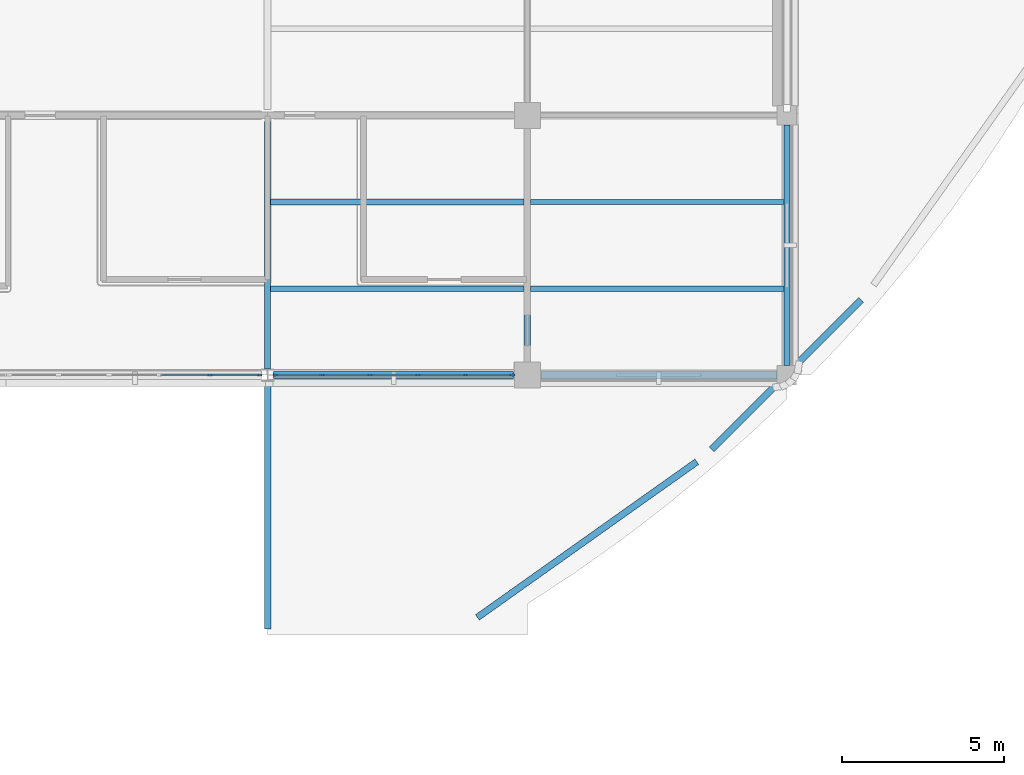
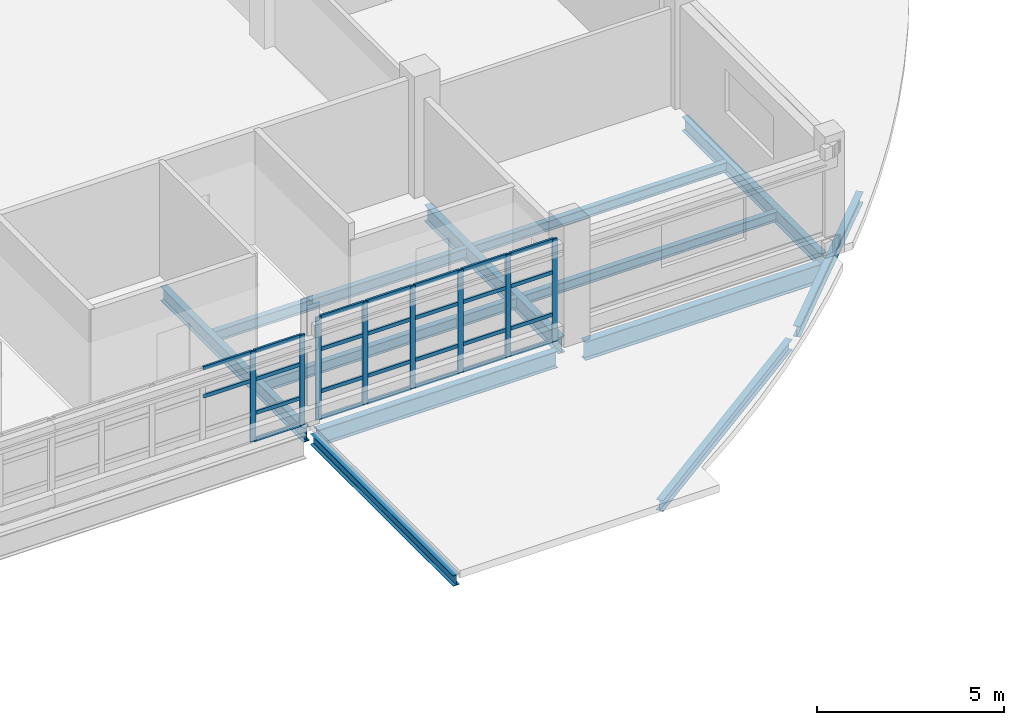
# One storey, part 25 of 126: 34 members, 12 beams, 2 elements without a shape of their own.
"""IFC4 building model written with IfcOpenShell, lengths in metres."""

import ifcopenshell
import ifcopenshell.guid

model = None  # the IFC model being written
_history = None  # IfcOwnerHistory: only IFC2X3 demands one
_inside = {}  # id of a spatial element -> (the spatial element, [elements in it])
_under = {}  # id of a project, library or spatial element -> (it, [spatial elements below it])
_declared = {}  # id of a project -> (the project, [libraries it declares])
_typed = {}  # id of a type object -> (the type object, [elements of that type])
_made_of = {}  # id of a material, layer set ... -> (it, [elements and type objects made of it])


def new_model(schema):
    """Start an empty IFC model of exactly this schema.

    Asked for "IFC4X3", IfcOpenShell would pick the latest addendum, in which some entities
    have other attributes; the version numbers below select the first issue.
    IFC2X3 requires an IfcOwnerHistory on every rooted entity: one is made here for all.
    """
    global model, _history
    if schema == "IFC4X3":
        model = ifcopenshell.file(schema_version=(4, 3, 0, 0))
    else:
        model = ifcopenshell.file(schema=schema)
    _inside.clear()
    _under.clear()
    _declared.clear()
    _typed.clear()
    _made_of.clear()
    _history = None
    if model.schema == "IFC2X3":
        org = make("IfcOrganization", Name="unknown")
        user = make(
            "IfcPersonAndOrganization",
            ThePerson=make("IfcPerson", FamilyName="unknown"),
            TheOrganization=org,
        )
        app = make(
            "IfcApplication",
            ApplicationDeveloper=org,
            Version="unknown",
            ApplicationFullName="unknown",
            ApplicationIdentifier="unknown",
        )
        _history = make(
            "IfcOwnerHistory",
            OwningUser=user,
            OwningApplication=app,
            ChangeAction="ADDED",
            CreationDate=0,
        )
    return model


def make(cls, **values):
    """One entity of the class cls with the attributes given. An attribute that is None is left unset."""
    return model.create_entity(
        cls, **{name: value for name, value in values.items() if value is not None}
    )


def rooted(cls, **values):
    """An entity with a GlobalId (a new one), such as an element, a storey or a relation."""
    return make(cls, GlobalId=ifcopenshell.guid.new(), OwnerHistory=_history, **values)


def si_unit(unit_type, name, prefix=None):
    """IfcSIUnit, for example si_unit("LENGTHUNIT", "METRE", prefix="MILLI")."""
    return make("IfcSIUnit", UnitType=unit_type, Prefix=prefix, Name=name)


def derived_unit(unit_type, elements):
    """IfcDerivedUnit: a product of units, each with its exponent."""
    return make(
        "IfcDerivedUnit",
        Elements=[
            make("IfcDerivedUnitElement", Unit=unit, Exponent=power)
            for unit, power in elements
        ],
        UnitType=unit_type,
    )


def assignment(units):
    """IfcUnitAssignment: the units of a project."""
    return None if units is None else make("IfcUnitAssignment", Units=units)


def point(xyz):
    """IfcCartesianPoint."""
    return None if xyz is None else make("IfcCartesianPoint", Coordinates=xyz)


def direction(xyz):
    """IfcDirection."""
    return None if xyz is None else make("IfcDirection", DirectionRatios=xyz)


def frame(location, z_axis=None, x_axis=None):
    """IfcAxis2Placement3D, a coordinate frame: its origin and axes. An axis left out is left unset."""
    return make(
        "IfcAxis2Placement3D",
        Location=point(location),
        Axis=direction(z_axis),
        RefDirection=direction(x_axis),
    )


def frame_2d(location, x_axis=None):
    """IfcAxis2Placement2D, a coordinate frame in the plane: its origin and x axis."""
    return make(
        "IfcAxis2Placement2D", Location=point(location), RefDirection=direction(x_axis)
    )


def origin():
    """The frame at (0, 0, 0) with its axes left unset."""
    return frame((0.0, 0.0, 0.0))


def origin_2d():
    """The frame at (0, 0) in the plane with its x axis left unset."""
    return frame_2d((0.0, 0.0))


def place(relative_to, where):
    """IfcLocalPlacement: puts the frame where relative to a parent placement (None: the world)."""
    return make(
        "IfcLocalPlacement", PlacementRelTo=relative_to, RelativePlacement=where
    )


def context(
    kind, dimensions, precision=None, world=None, true_north=None, identifier=None
):
    """IfcGeometricRepresentationContext, for example the 3D "Model" context."""
    return make(
        "IfcGeometricRepresentationContext",
        ContextIdentifier=identifier,
        ContextType=kind,
        CoordinateSpaceDimension=dimensions,
        Precision=precision,
        WorldCoordinateSystem=world,
        TrueNorth=true_north,
    )


def subcontext(parent, identifier, kind, view, scale=None):
    """IfcGeometricRepresentationSubContext, for example "Body" below "Model"."""
    return make(
        "IfcGeometricRepresentationSubContext",
        ContextIdentifier=identifier,
        ContextType=kind,
        ParentContext=parent,
        TargetScale=scale,
        TargetView=view,
    )


def project(units=None, contexts=None):
    """IfcProject with its units and contexts."""
    return rooted(
        "IfcProject",
        Name="project",
        RepresentationContexts=contexts,
        UnitsInContext=assignment(units),
    )


def spatial(cls, under=None, at=None, **own):
    """A site, building, storey or space (cls), placed at a placement, below another one or the project."""
    s = rooted(cls, ObjectPlacement=at, **own)
    if under is not None:
        _under.setdefault(under.id(), (under, []))[1].append(s)
    return s


def profile(cls, at=None, kind="AREA", **sizes):
    """A parametric profile (cls). Its sizes go by their IFC names, for example OverallWidth=200.0."""
    return make(cls, ProfileType=kind, Position=at, **sizes)


def rectangle(**sizes):
    """IfcRectangleProfileDef."""
    return profile("IfcRectangleProfileDef", **sizes)


def i_section(**sizes):
    """IfcIShapeProfileDef."""
    return profile("IfcIShapeProfileDef", **sizes)


def extrude(swept, where, along, depth):
    """IfcExtrudedAreaSolid: the profile swept, set in the frame where, extruded along a direction by depth."""
    return make(
        "IfcExtrudedAreaSolid",
        SweptArea=swept,
        Position=where,
        ExtrudedDirection=direction(along),
        Depth=depth,
    )


def shape(context_of_items, identifier, shape_type, items):
    """IfcShapeRepresentation: the items that make up one representation, for example the "Body"."""
    return make(
        "IfcShapeRepresentation",
        ContextOfItems=context_of_items,
        RepresentationIdentifier=identifier,
        RepresentationType=shape_type,
        Items=items,
    )


def material(Name=None, Category=None):
    """IfcMaterial."""
    return make("IfcMaterial", Name=Name, Category=Category)


def layer(
    of_material, thickness, ventilated=None, Name=None, Category=None, Priority=None
):
    """IfcMaterialLayer: one layer of a wall or slab, of a material (None: an air gap)."""
    return make(
        "IfcMaterialLayer",
        Material=of_material,
        LayerThickness=thickness,
        IsVentilated=ventilated,
        Name=Name,
        Category=Category,
        Priority=Priority,
    )


def layer_set(layers, Name=None):
    """IfcMaterialLayerSet."""
    return make("IfcMaterialLayerSet", MaterialLayers=layers, LayerSetName=Name)


def material_profile(
    of_material, cross_section, Name=None, Category=None, Priority=None
):
    """IfcMaterialProfile: a cross section and its material."""
    return make(
        "IfcMaterialProfile",
        Name=Name,
        Material=of_material,
        Profile=cross_section,
        Priority=Priority,
        Category=Category,
    )


def profile_set(profiles, Name=None, composite=None):
    """IfcMaterialProfileSet."""
    return make(
        "IfcMaterialProfileSet",
        Name=Name,
        MaterialProfiles=profiles,
        CompositeProfile=composite,
    )


def made_of(thing, what):
    """Note that an element or type object is made of a material, layer set ...; save() writes the relation."""
    if what is not None:
        _made_of.setdefault(what.id(), (what, []))[1].append(thing)
    return thing


def type_object(cls, material=None, **own):
    """A type object (cls), such as IfcWallType, which elements share."""
    return made_of(rooted(cls, **own), material)


def element(
    cls,
    number,
    at=None,
    inside=None,
    cuts=None,
    type_object=None,
    material=None,
    context=None,
    identifier="Body",
    shape_type=None,
    held_by="IfcProductDefinitionShape",
    body=None,
    shapes=None,
    **own,
):
    """One element of the class cls, such as IfcWall. Its Tag is "e" and its number.

    at: its placement. inside: the storey or other place that contains it. cuts: it is an
    opening in that element (IfcRelVoidsElement). A single representation is given by context,
    identifier, shape_type and body (its items); several are given by shapes. held_by: the class
    of the entity that holds the representations. save() writes the other relations.
    """
    e = rooted(cls, Tag="e%d" % number, ObjectPlacement=at, **own)
    if body is not None:
        shapes = [shape(context, identifier, shape_type, body)]
    if shapes is not None:
        e.Representation = make(held_by, Representations=shapes)
    if inside is not None:
        _inside.setdefault(inside.id(), (inside, []))[1].append(e)
    if cuts is not None:
        rooted(
            "IfcRelVoidsElement", RelatingBuildingElement=cuts, RelatedOpeningElement=e
        )
    if type_object is not None:
        _typed.setdefault(type_object.id(), (type_object, []))[1].append(e)
    return made_of(e, material)


def aggregate(whole, parts):
    """IfcRelAggregates: a whole, such as a stair, and the parts it consists of."""
    return rooted("IfcRelAggregates", RelatingObject=whole, RelatedObjects=parts)


def save(model, path):
    """Write the relations noted so far, then the file.

    IfcRelAggregates (storeys below a building ...), IfcRelContainedInSpatialStructure (elements
    in a storey), IfcRelDefinesByType, IfcRelAssociatesMaterial and IfcRelDeclares: one each for
    every whole, place, type object, material and project.
    """
    for whole, parts in _under.values():
        aggregate(whole, parts)
    for where, things in _inside.values():
        rooted(
            "IfcRelContainedInSpatialStructure",
            RelatedElements=things,
            RelatingStructure=where,
        )
    for kind, things in _typed.values():
        rooted("IfcRelDefinesByType", RelatedObjects=things, RelatingType=kind)
    for what, things in _made_of.values():
        rooted("IfcRelAssociatesMaterial", RelatedObjects=things, RelatingMaterial=what)
    for by, libraries in _declared.values():
        rooted("IfcRelDeclares", RelatingContext=by, RelatedDefinitions=libraries)
    model.write(path)


model = new_model("IFC4")

# Units and contexts
model_context = context("Model", 3, precision=1e-05, world=origin(), true_north=direction((0.0, 1.0)))
body_context = subcontext(model_context, "Body", "Model", "MODEL_VIEW")
ifc_project = project(units=[si_unit("LENGTHUNIT", "METRE"), si_unit("AREAUNIT", "SQUARE_METRE"), si_unit("VOLUMEUNIT", "CUBIC_METRE"), si_unit("PLANEANGLEUNIT", "RADIAN"), si_unit("MASSUNIT", "GRAM", prefix="KILO"), derived_unit("THERMALTRANSMITTANCEUNIT", [(si_unit("MASSUNIT", "GRAM", prefix="KILO"), 1), (si_unit("TIMEUNIT", "SECOND"), -3), (si_unit("THERMODYNAMICTEMPERATUREUNIT", "KELVIN"), -1)])], contexts=[model_context])

# Site, building, storey
site_placement = place(None, origin())
site = spatial("IfcSite", under=ifc_project, at=site_placement, CompositionType="ELEMENT")
building_placement = place(site_placement, origin())
building = spatial("IfcBuilding", under=site, at=building_placement, Name="Veyamyaing Civic Hall", CompositionType="ELEMENT")
storey_placement = place(building_placement, frame((0.0, 0.0, 9.89990234375)))
storey = spatial("IfcBuildingStorey", under=building, at=storey_placement, Name="L02", CompositionType="ELEMENT", Elevation=9.89990234375)

# Beams
ifc_material_1 = material(Name="Steel ASTM A992", Category="steel")
ifc_material_profile_1 = material_profile(ifc_material_1, i_section(OverallWidth=0.22802734375, OverallDepth=0.60791015625, WebThickness=0.01123046875, FlangeThickness=0.017333984375, FilletRadius=0.012939453125, at=origin_2d()), Name="W610X113")
ifc_profile_set_1 = profile_set([ifc_material_profile_1], Name="Steel ASTM A992")
beam_type_1 = type_object("IfcBeamType", Name="B-06", PredefinedType="BEAM", material=ifc_profile_set_1)
beam_1_placement = place(storey_placement, frame((104.425048828125, 24.0, -0.5888671875), z_axis=(1.0, 0.0, 0.0), x_axis=(0.0, 1.0, 0.0)))
element("IfcBeam", 1, at=beam_1_placement, inside=storey, type_object=beam_type_1, Name="Girder B-06 L02 Grid D 14-15", PredefinedType="BEAM", context=body_context, shape_type="SweptSolid", body=[
    extrude(i_section(OverallWidth=0.22802734375, OverallDepth=0.60791015625, WebThickness=0.01123046875, FlangeThickness=0.017333984375, FilletRadius=0.012939453125, at=origin_2d()), origin(), (0.0, 0.0, 1.0), 7.27490234375),
])
ifc_material_profile_2 = material_profile(ifc_material_1, i_section(OverallWidth=0.208984375, OverallDepth=0.532958984375, WebThickness=0.01025390625, FlangeThickness=0.015625, FilletRadius=0.011962890625, at=origin_2d()), Name="W530X92")
ifc_profile_set_2 = profile_set([ifc_material_profile_2], Name="Steel ASTM A992")
beam_type_2 = type_object("IfcBeamType", Name="B-07", PredefinedType="BEAM", material=ifc_profile_set_2)
beam_2_placement = place(storey_placement, frame((104.0, 24.425048828125, -0.551513671875), z_axis=(0.0, 1.0, 0.0), x_axis=(-1.0, 0.0, 0.0)))
element("IfcBeam", 2, at=beam_2_placement, inside=storey, type_object=beam_type_2, Name="Girder B-07 L02 Grid 14 D-E", PredefinedType="BEAM", context=body_context, shape_type="SweptSolid", body=[
    extrude(i_section(OverallWidth=0.208984375, OverallDepth=0.532958984375, WebThickness=0.01025390625, FlangeThickness=0.015625, FilletRadius=0.011962890625, at=origin_2d()), origin(), (0.0, 0.0, 1.0), 7.14990234375),
])
ifc_material_profile_3 = material_profile(ifc_material_1, i_section(OverallWidth=0.19189453125, OverallDepth=0.462890625, WebThickness=0.010498046875, FlangeThickness=0.017578125, FilletRadius=0.010009765625, at=origin_2d()), Name="W460X89")
ifc_profile_set_3 = profile_set([ifc_material_profile_3], Name="Steel ASTM A992")
beam_type_3 = type_object("IfcBeamType", Name="B-08", PredefinedType="BEAM", material=ifc_profile_set_3)
beam_3_placement = place(storey_placement, frame((112.0, 24.300048828125, -0.516357421875), z_axis=(0.0, 1.0, 0.0), x_axis=(-1.0, 0.0, 0.0)))
element("IfcBeam", 3, at=beam_3_placement, inside=storey, type_object=beam_type_3, Name="Girder B-08 L02 Grid 15 D-E", PredefinedType="BEAM", context=body_context, shape_type="SweptSolid", body=[
    extrude(i_section(OverallWidth=0.19189453125, OverallDepth=0.462890625, WebThickness=0.010498046875, FlangeThickness=0.017578125, FilletRadius=0.010009765625, at=origin_2d()), origin(), (0.0, 0.0, 1.0), 7.39990234375),
])
ifc_material_profile_4 = material_profile(ifc_material_1, i_section(OverallWidth=0.2041015625, OverallDepth=0.35009765625, WebThickness=0.0078125, FlangeThickness=0.01513671875, FilletRadius=0.010009765625, at=origin_2d()), Name="W360X72")
ifc_profile_set_4 = profile_set([ifc_material_profile_4], Name="Steel ASTM A992")
beam_type_4 = type_object("IfcBeamType", Name="B-11", PredefinedType="SPANDREL", material=ifc_profile_set_4)
beam_4_placement = place(storey_placement, frame((96.0, 16.18603515625, -0.414794921875), z_axis=(0.0, 1.0, 0.0), x_axis=(-1.0, 0.0, 0.0)))
element("IfcBeam", 4, at=beam_4_placement, inside=storey, type_object=beam_type_4, Name="Girder B-11 L02 Grid 13 C-D", PredefinedType="SPANDREL", context=body_context, shape_type="SweptSolid", body=[
    extrude(i_section(OverallWidth=0.2041015625, OverallDepth=0.35009765625, WebThickness=0.0078125, FlangeThickness=0.01513671875, FilletRadius=0.010009765625, at=origin_2d()), origin(), (0.0, 0.0, 1.0), 7.6279296875),
])
beam_5_placement = place(storey_placement, frame((102.46533203125, 16.537353515625, -0.4599609375), z_axis=(0.815567262109, 0.578662285773, 0.0), x_axis=(-0.578662285773, 0.815567262109, 0.0)))
element("IfcBeam", 5, at=beam_5_placement, inside=storey, type_object=beam_type_4, Name="Curved corner spandrel B-11 L02 SE.1", PredefinedType="SPANDREL", context=body_context, shape_type="SweptSolid", body=[
    extrude(i_section(OverallWidth=0.2041015625, OverallDepth=0.35009765625, WebThickness=0.0078125, FlangeThickness=0.01513671875, FilletRadius=0.010009765625, at=origin_2d()), origin(), (0.0, 0.0, 1.0), 8.284423828125),
])
beam_6_placement = place(storey_placement, frame((109.6787109375, 21.717041015625, -0.4599609375), z_axis=(0.707106781187, 0.707106781187, 0.0), x_axis=(-0.707106781187, 0.707106781187, 0.0)))
element("IfcBeam", 6, at=beam_6_placement, inside=storey, type_object=beam_type_4, Name="Curved corner spandrel B-11 L02 SE.2", PredefinedType="SPANDREL", context=body_context, shape_type="SweptSolid", body=[
    extrude(i_section(OverallWidth=0.2041015625, OverallDepth=0.35009765625, WebThickness=0.0078125, FlangeThickness=0.01513671875, FilletRadius=0.010009765625, at=origin_2d()), origin(), (0.0, 0.0, 1.0), 6.511474609375),
])
ifc_material_profile_5 = material_profile(ifc_material_1, i_section(OverallWidth=0.2109375, OverallDepth=0.5390625, WebThickness=0.01171875, FlangeThickness=0.018798828125, FilletRadius=0.011962890625, at=origin_2d()), Name="W530X109")
ifc_profile_set_5 = profile_set([ifc_material_profile_5], Name="Steel ASTM A992")
beam_type_5 = type_object("IfcBeamType", Name="B-17", PredefinedType="BEAM", material=ifc_profile_set_5)
beam_7_placement = place(storey_placement, frame((96.18701171875, 24.0, -0.554443359375), z_axis=(1.0, 0.0, 0.0), x_axis=(0.0, 1.0, 0.0)))
element("IfcBeam", 7, at=beam_7_placement, inside=storey, type_object=beam_type_5, Name="Girder B-17 L02 Grid D 13-14", PredefinedType="BEAM", context=body_context, shape_type="SweptSolid", body=[
    extrude(i_section(OverallWidth=0.2109375, OverallDepth=0.5390625, WebThickness=0.01171875, FlangeThickness=0.018798828125, FilletRadius=0.011962890625, at=origin_2d()), origin(), (0.0, 0.0, 1.0), 7.387939453125),
])
ifc_material_profile_6 = material_profile(ifc_material_1, i_section(OverallWidth=0.194091796875, OverallDepth=0.468994140625, WebThickness=0.0126953125, FlangeThickness=0.0205078125, FilletRadius=0.010009765625, at=origin_2d()), Name="W460X106")
ifc_profile_set_6 = profile_set([ifc_material_profile_6], Name="Steel ASTM A992")
beam_type_6 = type_object("IfcBeamType", Name="B-18", PredefinedType="BEAM", material=ifc_profile_set_6)
beam_8_placement = place(storey_placement, frame((96.0, 24.18603515625, -0.519287109375), z_axis=(0.0, 1.0, 0.0), x_axis=(-1.0, 0.0, 0.0)))
element("IfcBeam", 8, at=beam_8_placement, inside=storey, type_object=beam_type_6, Name="Girder B-18 L02 Grid 13 D-E", PredefinedType="BEAM", context=body_context, shape_type="SweptSolid", body=[
    extrude(i_section(OverallWidth=0.194091796875, OverallDepth=0.468994140625, WebThickness=0.0126953125, FlangeThickness=0.0205078125, FilletRadius=0.010009765625, at=origin_2d()), origin(), (0.0, 0.0, 1.0), 7.6279296875),
])

# Curtain wall, members
ifc_material_2 = material(Name="Anodised aluminium 6063-T6", Category="aluminium")
ifc_layer = layer(ifc_material_2, 0.159912109375, Name="Anodised aluminium 6063-T6")
ifc_layer_set = layer_set([ifc_layer], Name="Anodised aluminium 6063-T6")
curtain_wall_type = type_object("IfcCurtainWallType", Name="CW-03", PredefinedType="NOTDEFINED", material=ifc_layer_set)
curtain_wall_1_placement = place(storey_placement, origin())
curtain_wall_1 = element("IfcCurtainWall", 9, at=curtain_wall_1_placement, inside=storey, type_object=curtain_wall_type, Name="Unitized curtain wall CW-03 L02 S 12.4", PredefinedType="NOTDEFINED")
ifc_material_profile_7 = material_profile(ifc_material_2, rectangle(XDim=0.06494140625, YDim=0.159912109375, at=origin_2d()), Name="ALU-MUL-65X160")
ifc_profile_set_7 = profile_set([ifc_material_profile_7], Name="Anodised aluminium 6063-T6")
member_type_1 = type_object("IfcMemberType", Name="CWM-01", PredefinedType="MULLION", material=ifc_profile_set_7)
member_1_placement = place(storey_placement, frame((94.2275390625, 24.0, 0.0), z_axis=(0.0, 0.0, 1.0), x_axis=(0.0, 1.0, 0.0)))
member_1 = element("IfcMember", 10, at=member_1_placement, type_object=member_type_1, Name="CW-03 mullion 5", PredefinedType="MULLION", context=body_context, shape_type="SweptSolid", body=[
    extrude(rectangle(XDim=0.06494140625, YDim=0.159912109375, at=origin_2d()), origin(), (0.0, 0.0, 1.0), 2.939208984375),
])
member_2_placement = place(storey_placement, frame((95.751953125, 24.0, 0.0), z_axis=(0.0, 0.0, 1.0), x_axis=(0.0, 1.0, 0.0)))
member_2 = element("IfcMember", 11, at=member_2_placement, type_object=member_type_1, Name="CW-03 mullion 6", PredefinedType="MULLION", context=body_context, shape_type="SweptSolid", body=[
    extrude(rectangle(XDim=0.06494140625, YDim=0.159912109375, at=origin_2d()), origin(), (0.0, 0.0, 1.0), 2.939208984375),
])

curtain_wall_2_placement = place(storey_placement, origin())
curtain_wall_2 = element("IfcCurtainWall", 12, at=curtain_wall_2_placement, inside=storey, type_object=curtain_wall_type, Name="Unitized curtain wall CW-03 L02 S 13.4", PredefinedType="NOTDEFINED")
member_3_placement = place(storey_placement, frame((96.248046875, 24.0, 0.0), z_axis=(0.0, 0.0, 1.0), x_axis=(0.0, 1.0, 0.0)))
member_3 = element("IfcMember", 13, at=member_3_placement, type_object=member_type_1, Name="CW-03 mullion 1", PredefinedType="MULLION", context=body_context, shape_type="SweptSolid", body=[
    extrude(rectangle(XDim=0.06494140625, YDim=0.159912109375, at=origin_2d()), origin(), (0.0, 0.0, 1.0), 3.343994140625),
])
member_4_placement = place(storey_placement, frame((97.686279296875, 24.0, 0.0), z_axis=(0.0, 0.0, 1.0), x_axis=(0.0, 1.0, 0.0)))
member_4 = element("IfcMember", 14, at=member_4_placement, type_object=member_type_1, Name="CW-03 mullion 2", PredefinedType="MULLION", context=body_context, shape_type="SweptSolid", body=[
    extrude(rectangle(XDim=0.06494140625, YDim=0.159912109375, at=origin_2d()), origin(), (0.0, 0.0, 1.0), 3.343994140625),
])
member_5_placement = place(storey_placement, frame((99.1572265625, 24.0, 0.0), z_axis=(0.0, 0.0, 1.0), x_axis=(0.0, 1.0, 0.0)))
member_5 = element("IfcMember", 15, at=member_5_placement, type_object=member_type_1, Name="CW-03 mullion 3", PredefinedType="MULLION", context=body_context, shape_type="SweptSolid", body=[
    extrude(rectangle(XDim=0.06494140625, YDim=0.159912109375, at=origin_2d()), origin(), (0.0, 0.0, 1.0), 3.343994140625),
])
member_6_placement = place(storey_placement, frame((100.628173828125, 24.0, 0.0), z_axis=(0.0, 0.0, 1.0), x_axis=(0.0, 1.0, 0.0)))
member_6 = element("IfcMember", 16, at=member_6_placement, type_object=member_type_1, Name="CW-03 mullion 4", PredefinedType="MULLION", context=body_context, shape_type="SweptSolid", body=[
    extrude(rectangle(XDim=0.06494140625, YDim=0.159912109375, at=origin_2d()), origin(), (0.0, 0.0, 1.0), 3.343994140625),
])
member_7_placement = place(storey_placement, frame((102.09912109375, 24.0, 0.0), z_axis=(0.0, 0.0, 1.0), x_axis=(0.0, 1.0, 0.0)))
member_7 = element("IfcMember", 17, at=member_7_placement, type_object=member_type_1, Name="CW-03 mullion 5", PredefinedType="MULLION", context=body_context, shape_type="SweptSolid", body=[
    extrude(rectangle(XDim=0.06494140625, YDim=0.159912109375, at=origin_2d()), origin(), (0.0, 0.0, 1.0), 3.343994140625),
])
member_8_placement = place(storey_placement, frame((103.53759765625, 24.0, 0.0), z_axis=(0.0, 0.0, 1.0), x_axis=(0.0, 1.0, 0.0)))
member_8 = element("IfcMember", 18, at=member_8_placement, type_object=member_type_1, Name="CW-03 mullion 6", PredefinedType="MULLION", context=body_context, shape_type="SweptSolid", body=[
    extrude(rectangle(XDim=0.06494140625, YDim=0.159912109375, at=origin_2d()), origin(), (0.0, 0.0, 1.0), 3.343994140625),
])

# Member
ifc_material_profile_8 = material_profile(ifc_material_2, rectangle(XDim=0.06494140625, YDim=0.1201171875, at=origin_2d()), Name="ALU-TRN-65X120")
ifc_profile_set_8 = profile_set([ifc_material_profile_8], Name="Anodised aluminium 6063-T6")
member_type_2 = type_object("IfcMemberType", Name="CWT-01", PredefinedType="USERDEFINED", material=ifc_profile_set_8)
member_9_placement = place(storey_placement, frame((92.703125, 24.0, 1.99853515625), z_axis=(1.0, 0.0, 0.0), x_axis=(0.0, 1.0, 0.0)))
member_9 = element("IfcMember", 19, at=member_9_placement, type_object=member_type_2, Name="CW-03 transom 4.3", ObjectType="TRANSOM", PredefinedType="USERDEFINED", context=body_context, shape_type="SweptSolid", body=[
    extrude(rectangle(XDim=0.06494140625, YDim=0.1201171875, at=origin_2d()), origin(), (0.0, 0.0, 1.0), 1.491943359375),
])

member_10_placement = place(storey_placement, frame((92.703125, 24.0, 2.906494140625), z_axis=(1.0, 0.0, 0.0), x_axis=(0.0, 1.0, 0.0)))
member_10 = element("IfcMember", 20, at=member_10_placement, type_object=member_type_2, Name="CW-03 transom 4.4", ObjectType="TRANSOM", PredefinedType="USERDEFINED", context=body_context, shape_type="SweptSolid", body=[
    extrude(rectangle(XDim=0.06494140625, YDim=0.1201171875, at=origin_2d()), origin(), (0.0, 0.0, 1.0), 1.491943359375),
])

member_11_placement = place(storey_placement, frame((94.260009765625, 24.0, 0.03271484375), z_axis=(1.0, 0.0, 0.0), x_axis=(0.0, 1.0, 0.0)))
member_11 = element("IfcMember", 21, at=member_11_placement, type_object=member_type_2, Name="CW-03 transom 5.1", ObjectType="TRANSOM", PredefinedType="USERDEFINED", context=body_context, shape_type="SweptSolid", body=[
    extrude(rectangle(XDim=0.06494140625, YDim=0.1201171875, at=origin_2d()), origin(), (0.0, 0.0, 1.0), 1.45947265625),
])

member_12_placement = place(storey_placement, frame((94.260009765625, 24.0, 0.900146484375), z_axis=(1.0, 0.0, 0.0), x_axis=(0.0, 1.0, 0.0)))
member_12 = element("IfcMember", 22, at=member_12_placement, type_object=member_type_2, Name="CW-03 transom 5.2", ObjectType="TRANSOM", PredefinedType="USERDEFINED", context=body_context, shape_type="SweptSolid", body=[
    extrude(rectangle(XDim=0.06494140625, YDim=0.1201171875, at=origin_2d()), origin(), (0.0, 0.0, 1.0), 1.45947265625),
])

member_13_placement = place(storey_placement, frame((94.260009765625, 24.0, 1.99853515625), z_axis=(1.0, 0.0, 0.0), x_axis=(0.0, 1.0, 0.0)))
member_13 = element("IfcMember", 23, at=member_13_placement, type_object=member_type_2, Name="CW-03 transom 5.3", ObjectType="TRANSOM", PredefinedType="USERDEFINED", context=body_context, shape_type="SweptSolid", body=[
    extrude(rectangle(XDim=0.06494140625, YDim=0.1201171875, at=origin_2d()), origin(), (0.0, 0.0, 1.0), 1.45947265625),
])

member_14_placement = place(storey_placement, frame((94.260009765625, 24.0, 2.906494140625), z_axis=(1.0, 0.0, 0.0), x_axis=(0.0, 1.0, 0.0)))
member_14 = element("IfcMember", 24, at=member_14_placement, type_object=member_type_2, Name="CW-03 transom 5.4", ObjectType="TRANSOM", PredefinedType="USERDEFINED", context=body_context, shape_type="SweptSolid", body=[
    extrude(rectangle(XDim=0.06494140625, YDim=0.1201171875, at=origin_2d()), origin(), (0.0, 0.0, 1.0), 1.45947265625),
])

aggregate(curtain_wall_1, [member_1, member_2, member_9, member_10, member_11, member_12, member_13, member_14])

member_15_placement = place(storey_placement, frame((96.280517578125, 24.0, 0.03271484375), z_axis=(1.0, 0.0, 0.0), x_axis=(0.0, 1.0, 0.0)))
member_15 = element("IfcMember", 25, at=member_15_placement, type_object=member_type_2, Name="CW-03 transom 1.1", ObjectType="TRANSOM", PredefinedType="USERDEFINED", context=body_context, shape_type="SweptSolid", body=[
    extrude(rectangle(XDim=0.06494140625, YDim=0.1201171875, at=origin_2d()), origin(), (0.0, 0.0, 1.0), 1.373291015625),
])

member_16_placement = place(storey_placement, frame((96.280517578125, 24.0, 0.900146484375), z_axis=(1.0, 0.0, 0.0), x_axis=(0.0, 1.0, 0.0)))
member_16 = element("IfcMember", 26, at=member_16_placement, type_object=member_type_2, Name="CW-03 transom 1.2", ObjectType="TRANSOM", PredefinedType="USERDEFINED", context=body_context, shape_type="SweptSolid", body=[
    extrude(rectangle(XDim=0.06494140625, YDim=0.1201171875, at=origin_2d()), origin(), (0.0, 0.0, 1.0), 1.373291015625),
])

member_17_placement = place(storey_placement, frame((96.280517578125, 24.0, 2.27392578125), z_axis=(1.0, 0.0, 0.0), x_axis=(0.0, 1.0, 0.0)))
member_17 = element("IfcMember", 27, at=member_17_placement, type_object=member_type_2, Name="CW-03 transom 1.3", ObjectType="TRANSOM", PredefinedType="USERDEFINED", context=body_context, shape_type="SweptSolid", body=[
    extrude(rectangle(XDim=0.06494140625, YDim=0.1201171875, at=origin_2d()), origin(), (0.0, 0.0, 1.0), 1.373291015625),
])

member_18_placement = place(storey_placement, frame((96.280517578125, 24.0, 3.3115234375), z_axis=(1.0, 0.0, 0.0), x_axis=(0.0, 1.0, 0.0)))
member_18 = element("IfcMember", 28, at=member_18_placement, type_object=member_type_2, Name="CW-03 transom 1.4", ObjectType="TRANSOM", PredefinedType="USERDEFINED", context=body_context, shape_type="SweptSolid", body=[
    extrude(rectangle(XDim=0.06494140625, YDim=0.1201171875, at=origin_2d()), origin(), (0.0, 0.0, 1.0), 1.373291015625),
])

member_19_placement = place(storey_placement, frame((97.718994140625, 24.0, 0.03271484375), z_axis=(1.0, 0.0, 0.0), x_axis=(0.0, 1.0, 0.0)))
member_19 = element("IfcMember", 29, at=member_19_placement, type_object=member_type_2, Name="CW-03 transom 2.1", ObjectType="TRANSOM", PredefinedType="USERDEFINED", context=body_context, shape_type="SweptSolid", body=[
    extrude(rectangle(XDim=0.06494140625, YDim=0.1201171875, at=origin_2d()), origin(), (0.0, 0.0, 1.0), 1.40576171875),
])

member_20_placement = place(storey_placement, frame((97.718994140625, 24.0, 0.900146484375), z_axis=(1.0, 0.0, 0.0), x_axis=(0.0, 1.0, 0.0)))
member_20 = element("IfcMember", 30, at=member_20_placement, type_object=member_type_2, Name="CW-03 transom 2.2", ObjectType="TRANSOM", PredefinedType="USERDEFINED", context=body_context, shape_type="SweptSolid", body=[
    extrude(rectangle(XDim=0.06494140625, YDim=0.1201171875, at=origin_2d()), origin(), (0.0, 0.0, 1.0), 1.40576171875),
])

member_21_placement = place(storey_placement, frame((97.718994140625, 24.0, 2.27392578125), z_axis=(1.0, 0.0, 0.0), x_axis=(0.0, 1.0, 0.0)))
member_21 = element("IfcMember", 31, at=member_21_placement, type_object=member_type_2, Name="CW-03 transom 2.3", ObjectType="TRANSOM", PredefinedType="USERDEFINED", context=body_context, shape_type="SweptSolid", body=[
    extrude(rectangle(XDim=0.06494140625, YDim=0.1201171875, at=origin_2d()), origin(), (0.0, 0.0, 1.0), 1.40576171875),
])

member_22_placement = place(storey_placement, frame((97.718994140625, 24.0, 3.3115234375), z_axis=(1.0, 0.0, 0.0), x_axis=(0.0, 1.0, 0.0)))
member_22 = element("IfcMember", 32, at=member_22_placement, type_object=member_type_2, Name="CW-03 transom 2.4", ObjectType="TRANSOM", PredefinedType="USERDEFINED", context=body_context, shape_type="SweptSolid", body=[
    extrude(rectangle(XDim=0.06494140625, YDim=0.1201171875, at=origin_2d()), origin(), (0.0, 0.0, 1.0), 1.40576171875),
])

member_23_placement = place(storey_placement, frame((99.189697265625, 24.0, 0.03271484375), z_axis=(1.0, 0.0, 0.0), x_axis=(0.0, 1.0, 0.0)))
member_23 = element("IfcMember", 33, at=member_23_placement, type_object=member_type_2, Name="CW-03 transom 3.1", ObjectType="TRANSOM", PredefinedType="USERDEFINED", context=body_context, shape_type="SweptSolid", body=[
    extrude(rectangle(XDim=0.06494140625, YDim=0.1201171875, at=origin_2d()), origin(), (0.0, 0.0, 1.0), 1.406005859375),
])

member_24_placement = place(storey_placement, frame((99.189697265625, 24.0, 0.900146484375), z_axis=(1.0, 0.0, 0.0), x_axis=(0.0, 1.0, 0.0)))
member_24 = element("IfcMember", 34, at=member_24_placement, type_object=member_type_2, Name="CW-03 transom 3.2", ObjectType="TRANSOM", PredefinedType="USERDEFINED", context=body_context, shape_type="SweptSolid", body=[
    extrude(rectangle(XDim=0.06494140625, YDim=0.1201171875, at=origin_2d()), origin(), (0.0, 0.0, 1.0), 1.406005859375),
])

member_25_placement = place(storey_placement, frame((99.189697265625, 24.0, 2.27392578125), z_axis=(1.0, 0.0, 0.0), x_axis=(0.0, 1.0, 0.0)))
member_25 = element("IfcMember", 35, at=member_25_placement, type_object=member_type_2, Name="CW-03 transom 3.3", ObjectType="TRANSOM", PredefinedType="USERDEFINED", context=body_context, shape_type="SweptSolid", body=[
    extrude(rectangle(XDim=0.06494140625, YDim=0.1201171875, at=origin_2d()), origin(), (0.0, 0.0, 1.0), 1.406005859375),
])

member_26_placement = place(storey_placement, frame((99.189697265625, 24.0, 3.3115234375), z_axis=(1.0, 0.0, 0.0), x_axis=(0.0, 1.0, 0.0)))
member_26 = element("IfcMember", 36, at=member_26_placement, type_object=member_type_2, Name="CW-03 transom 3.4", ObjectType="TRANSOM", PredefinedType="USERDEFINED", context=body_context, shape_type="SweptSolid", body=[
    extrude(rectangle(XDim=0.06494140625, YDim=0.1201171875, at=origin_2d()), origin(), (0.0, 0.0, 1.0), 1.406005859375),
])

member_27_placement = place(storey_placement, frame((100.66064453125, 24.0, 0.03271484375), z_axis=(1.0, 0.0, 0.0), x_axis=(0.0, 1.0, 0.0)))
member_27 = element("IfcMember", 37, at=member_27_placement, type_object=member_type_2, Name="CW-03 transom 4.1", ObjectType="TRANSOM", PredefinedType="USERDEFINED", context=body_context, shape_type="SweptSolid", body=[
    extrude(rectangle(XDim=0.06494140625, YDim=0.1201171875, at=origin_2d()), origin(), (0.0, 0.0, 1.0), 1.406005859375),
])

member_28_placement = place(storey_placement, frame((100.66064453125, 24.0, 0.900146484375), z_axis=(1.0, 0.0, 0.0), x_axis=(0.0, 1.0, 0.0)))
member_28 = element("IfcMember", 38, at=member_28_placement, type_object=member_type_2, Name="CW-03 transom 4.2", ObjectType="TRANSOM", PredefinedType="USERDEFINED", context=body_context, shape_type="SweptSolid", body=[
    extrude(rectangle(XDim=0.06494140625, YDim=0.1201171875, at=origin_2d()), origin(), (0.0, 0.0, 1.0), 1.406005859375),
])

member_29_placement = place(storey_placement, frame((100.66064453125, 24.0, 2.27392578125), z_axis=(1.0, 0.0, 0.0), x_axis=(0.0, 1.0, 0.0)))
member_29 = element("IfcMember", 39, at=member_29_placement, type_object=member_type_2, Name="CW-03 transom 4.3", ObjectType="TRANSOM", PredefinedType="USERDEFINED", context=body_context, shape_type="SweptSolid", body=[
    extrude(rectangle(XDim=0.06494140625, YDim=0.1201171875, at=origin_2d()), origin(), (0.0, 0.0, 1.0), 1.406005859375),
])

member_30_placement = place(storey_placement, frame((100.66064453125, 24.0, 3.3115234375), z_axis=(1.0, 0.0, 0.0), x_axis=(0.0, 1.0, 0.0)))
member_30 = element("IfcMember", 40, at=member_30_placement, type_object=member_type_2, Name="CW-03 transom 4.4", ObjectType="TRANSOM", PredefinedType="USERDEFINED", context=body_context, shape_type="SweptSolid", body=[
    extrude(rectangle(XDim=0.06494140625, YDim=0.1201171875, at=origin_2d()), origin(), (0.0, 0.0, 1.0), 1.406005859375),
])

member_31_placement = place(storey_placement, frame((102.131591796875, 24.0, 0.03271484375), z_axis=(1.0, 0.0, 0.0), x_axis=(0.0, 1.0, 0.0)))
member_31 = element("IfcMember", 41, at=member_31_placement, type_object=member_type_2, Name="CW-03 transom 5.1", ObjectType="TRANSOM", PredefinedType="USERDEFINED", context=body_context, shape_type="SweptSolid", body=[
    extrude(rectangle(XDim=0.06494140625, YDim=0.1201171875, at=origin_2d()), origin(), (0.0, 0.0, 1.0), 1.373291015625),
])

member_32_placement = place(storey_placement, frame((102.131591796875, 24.0, 0.900146484375), z_axis=(1.0, 0.0, 0.0), x_axis=(0.0, 1.0, 0.0)))
member_32 = element("IfcMember", 42, at=member_32_placement, type_object=member_type_2, Name="CW-03 transom 5.2", ObjectType="TRANSOM", PredefinedType="USERDEFINED", context=body_context, shape_type="SweptSolid", body=[
    extrude(rectangle(XDim=0.06494140625, YDim=0.1201171875, at=origin_2d()), origin(), (0.0, 0.0, 1.0), 1.373291015625),
])

member_33_placement = place(storey_placement, frame((102.131591796875, 24.0, 2.27392578125), z_axis=(1.0, 0.0, 0.0), x_axis=(0.0, 1.0, 0.0)))
member_33 = element("IfcMember", 43, at=member_33_placement, type_object=member_type_2, Name="CW-03 transom 5.3", ObjectType="TRANSOM", PredefinedType="USERDEFINED", context=body_context, shape_type="SweptSolid", body=[
    extrude(rectangle(XDim=0.06494140625, YDim=0.1201171875, at=origin_2d()), origin(), (0.0, 0.0, 1.0), 1.373291015625),
])

member_34_placement = place(storey_placement, frame((102.131591796875, 24.0, 3.3115234375), z_axis=(1.0, 0.0, 0.0), x_axis=(0.0, 1.0, 0.0)))
member_34 = element("IfcMember", 44, at=member_34_placement, type_object=member_type_2, Name="CW-03 transom 5.4", ObjectType="TRANSOM", PredefinedType="USERDEFINED", context=body_context, shape_type="SweptSolid", body=[
    extrude(rectangle(XDim=0.06494140625, YDim=0.1201171875, at=origin_2d()), origin(), (0.0, 0.0, 1.0), 1.373291015625),
])

aggregate(curtain_wall_2, [member_3, member_4, member_5, member_6, member_7, member_8, member_15, member_16, member_17, member_18, member_19, member_20, member_21, member_22, member_23, member_24, member_25, member_26, member_27, member_28, member_29, member_30, member_31, member_32, member_33, member_34])

# Beams
ifc_material_profile_9 = material_profile(ifc_material_1, i_section(OverallWidth=0.1708984375, OverallDepth=0.35205078125, WebThickness=0.0068359375, FlangeThickness=0.009765625, FilletRadius=0.010009765625, at=origin_2d()), Name="W360X44")
ifc_profile_set_9 = profile_set([ifc_material_profile_9], Name="Steel ASTM A992")
beam_type_7 = type_object("IfcBeamType", Name="J-03", PredefinedType="JOIST", material=ifc_profile_set_9)
for number, where, z_axis, x_axis, name in (
    (45, (96.094970703125, 26.666748046875, -0.4609375), (1.0, 0.0, 0.0), (0.0, 1.0, 0.0), "Composite floor joist J-03 L02 13.4.1"),
    (46, (96.094970703125, 29.333251953125, -0.4609375), (1.0, 0.0, 0.0), (0.0, 1.0, 0.0), "Composite floor joist J-03 L02 13.4.2"),
):
    element("IfcBeam", number, at=place(storey_placement, frame(where, z_axis=z_axis, x_axis=x_axis)), inside=storey, type_object=beam_type_7, Name=name, PredefinedType="JOIST", context=body_context, shape_type="SweptSolid", body=[
        extrude(i_section(OverallWidth=0.1708984375, OverallDepth=0.35205078125, WebThickness=0.0068359375, FlangeThickness=0.009765625, FilletRadius=0.010009765625, at=origin_2d()), origin(), (0.0, 0.0, 1.0), 7.802490234375),
    ])
ifc_material_profile_10 = material_profile(ifc_material_1, i_section(OverallWidth=0.1669921875, OverallDepth=0.318115234375, WebThickness=0.007568359375, FlangeThickness=0.01318359375, FilletRadius=0.010009765625, at=origin_2d()), Name="W310X52")
ifc_profile_set_10 = profile_set([ifc_material_profile_10], Name="Steel ASTM A992")
beam_type_8 = type_object("IfcBeamType", Name="J-04", PredefinedType="JOIST", material=ifc_profile_set_10)
for number, where, z_axis, x_axis, name in (
    (47, (104.1025390625, 26.666748046875, -0.44384765625), (1.0, 0.0, 0.0), (0.0, 1.0, 0.0), "Composite floor joist J-04 L02 14.4.1"),
    (48, (104.1025390625, 29.333251953125, -0.44384765625), (1.0, 0.0, 0.0), (0.0, 1.0, 0.0), "Composite floor joist J-04 L02 14.4.2"),
):
    element("IfcBeam", number, at=place(storey_placement, frame(where, z_axis=z_axis, x_axis=x_axis)), inside=storey, type_object=beam_type_8, Name=name, PredefinedType="JOIST", context=body_context, shape_type="SweptSolid", body=[
        extrude(i_section(OverallWidth=0.1669921875, OverallDepth=0.318115234375, WebThickness=0.007568359375, FlangeThickness=0.01318359375, FilletRadius=0.010009765625, at=origin_2d()), origin(), (0.0, 0.0, 1.0), 7.803466796875),
    ])

save(model, "model.ifc")
